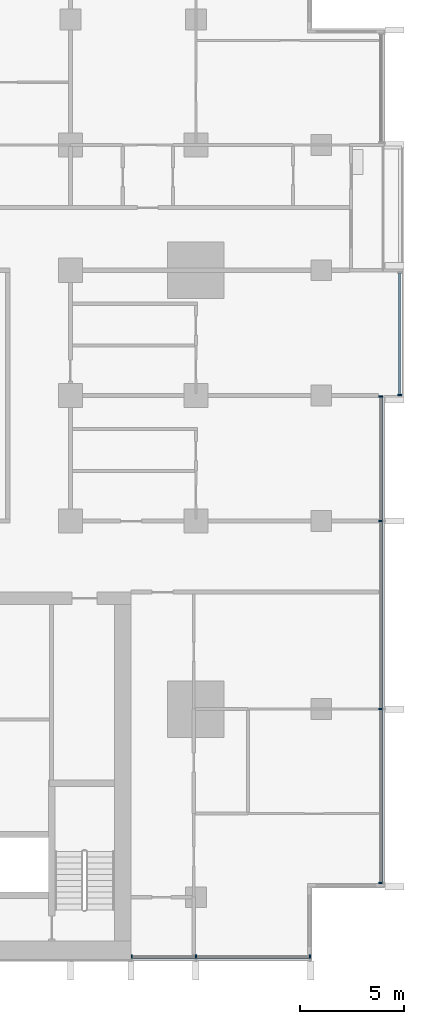
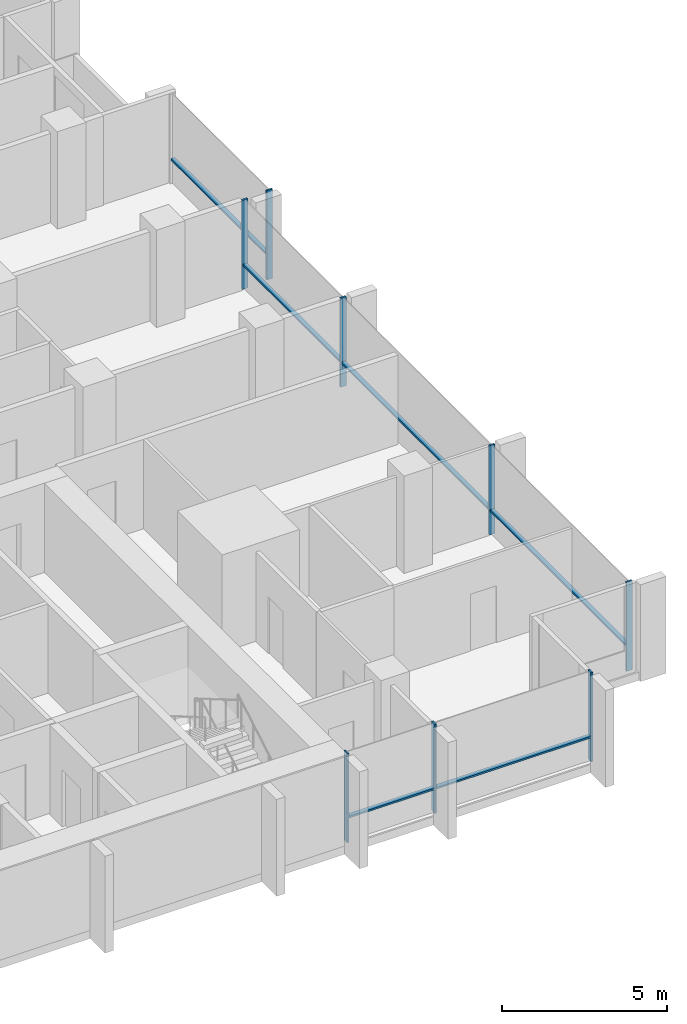
# One storey, part 3 of 17: 14 members, 3 elements without a shape of their own.
"""IFC4 building model written with IfcOpenShell, lengths in metres."""

import ifcopenshell
import ifcopenshell.guid

model = None  # the IFC model being written
_history = None  # IfcOwnerHistory: only IFC2X3 demands one
_inside = {}  # id of a spatial element -> (the spatial element, [elements in it])
_under = {}  # id of a project, library or spatial element -> (it, [spatial elements below it])
_declared = {}  # id of a project -> (the project, [libraries it declares])
_typed = {}  # id of a type object -> (the type object, [elements of that type])
_made_of = {}  # id of a material, layer set ... -> (it, [elements and type objects made of it])


def new_model(schema):
    """Start an empty IFC model of exactly this schema.

    Asked for "IFC4X3", IfcOpenShell would pick the latest addendum, in which some entities
    have other attributes; the version numbers below select the first issue.
    IFC2X3 requires an IfcOwnerHistory on every rooted entity: one is made here for all.
    """
    global model, _history
    if schema == "IFC4X3":
        model = ifcopenshell.file(schema_version=(4, 3, 0, 0))
    else:
        model = ifcopenshell.file(schema=schema)
    _inside.clear()
    _under.clear()
    _declared.clear()
    _typed.clear()
    _made_of.clear()
    _history = None
    if model.schema == "IFC2X3":
        org = make("IfcOrganization", Name="unknown")
        user = make(
            "IfcPersonAndOrganization",
            ThePerson=make("IfcPerson", FamilyName="unknown"),
            TheOrganization=org,
        )
        app = make(
            "IfcApplication",
            ApplicationDeveloper=org,
            Version="unknown",
            ApplicationFullName="unknown",
            ApplicationIdentifier="unknown",
        )
        _history = make(
            "IfcOwnerHistory",
            OwningUser=user,
            OwningApplication=app,
            ChangeAction="ADDED",
            CreationDate=0,
        )
    return model


def make(cls, **values):
    """One entity of the class cls with the attributes given. An attribute that is None is left unset."""
    return model.create_entity(
        cls, **{name: value for name, value in values.items() if value is not None}
    )


def rooted(cls, **values):
    """An entity with a GlobalId (a new one), such as an element, a storey or a relation."""
    return make(cls, GlobalId=ifcopenshell.guid.new(), OwnerHistory=_history, **values)


def si_unit(unit_type, name, prefix=None):
    """IfcSIUnit, for example si_unit("LENGTHUNIT", "METRE", prefix="MILLI")."""
    return make("IfcSIUnit", UnitType=unit_type, Prefix=prefix, Name=name)


def assignment(units):
    """IfcUnitAssignment: the units of a project."""
    return None if units is None else make("IfcUnitAssignment", Units=units)


def point(xyz):
    """IfcCartesianPoint."""
    return None if xyz is None else make("IfcCartesianPoint", Coordinates=xyz)


def direction(xyz):
    """IfcDirection."""
    return None if xyz is None else make("IfcDirection", DirectionRatios=xyz)


def frame(location, z_axis=None, x_axis=None):
    """IfcAxis2Placement3D, a coordinate frame: its origin and axes. An axis left out is left unset."""
    return make(
        "IfcAxis2Placement3D",
        Location=point(location),
        Axis=direction(z_axis),
        RefDirection=direction(x_axis),
    )


def frame_2d(location, x_axis=None):
    """IfcAxis2Placement2D, a coordinate frame in the plane: its origin and x axis."""
    return make(
        "IfcAxis2Placement2D", Location=point(location), RefDirection=direction(x_axis)
    )


def origin():
    """The frame at (0, 0, 0) with its axes left unset."""
    return frame((0.0, 0.0, 0.0))


def origin_2d():
    """The frame at (0, 0) in the plane with its x axis left unset."""
    return frame_2d((0.0, 0.0))


def place(relative_to, where):
    """IfcLocalPlacement: puts the frame where relative to a parent placement (None: the world)."""
    return make(
        "IfcLocalPlacement", PlacementRelTo=relative_to, RelativePlacement=where
    )


def context(
    kind, dimensions, precision=None, world=None, true_north=None, identifier=None
):
    """IfcGeometricRepresentationContext, for example the 3D "Model" context."""
    return make(
        "IfcGeometricRepresentationContext",
        ContextIdentifier=identifier,
        ContextType=kind,
        CoordinateSpaceDimension=dimensions,
        Precision=precision,
        WorldCoordinateSystem=world,
        TrueNorth=true_north,
    )


def subcontext(parent, identifier, kind, view, scale=None):
    """IfcGeometricRepresentationSubContext, for example "Body" below "Model"."""
    return make(
        "IfcGeometricRepresentationSubContext",
        ContextIdentifier=identifier,
        ContextType=kind,
        ParentContext=parent,
        TargetScale=scale,
        TargetView=view,
    )


def project(units=None, contexts=None):
    """IfcProject with its units and contexts."""
    return rooted(
        "IfcProject",
        Name="project",
        RepresentationContexts=contexts,
        UnitsInContext=assignment(units),
    )


def spatial(cls, under=None, at=None, **own):
    """A site, building, storey or space (cls), placed at a placement, below another one or the project."""
    s = rooted(cls, ObjectPlacement=at, **own)
    if under is not None:
        _under.setdefault(under.id(), (under, []))[1].append(s)
    return s


def profile(cls, at=None, kind="AREA", **sizes):
    """A parametric profile (cls). Its sizes go by their IFC names, for example OverallWidth=200.0."""
    return make(cls, ProfileType=kind, Position=at, **sizes)


def rectangle(**sizes):
    """IfcRectangleProfileDef."""
    return profile("IfcRectangleProfileDef", **sizes)


def extrude(swept, where, along, depth):
    """IfcExtrudedAreaSolid: the profile swept, set in the frame where, extruded along a direction by depth."""
    return make(
        "IfcExtrudedAreaSolid",
        SweptArea=swept,
        Position=where,
        ExtrudedDirection=direction(along),
        Depth=depth,
    )


def shape(context_of_items, identifier, shape_type, items):
    """IfcShapeRepresentation: the items that make up one representation, for example the "Body"."""
    return make(
        "IfcShapeRepresentation",
        ContextOfItems=context_of_items,
        RepresentationIdentifier=identifier,
        RepresentationType=shape_type,
        Items=items,
    )


def material(Name=None, Category=None):
    """IfcMaterial."""
    return make("IfcMaterial", Name=Name, Category=Category)


def material_profile(
    of_material, cross_section, Name=None, Category=None, Priority=None
):
    """IfcMaterialProfile: a cross section and its material."""
    return make(
        "IfcMaterialProfile",
        Name=Name,
        Material=of_material,
        Profile=cross_section,
        Priority=Priority,
        Category=Category,
    )


def profile_set(profiles, Name=None, composite=None):
    """IfcMaterialProfileSet."""
    return make(
        "IfcMaterialProfileSet",
        Name=Name,
        MaterialProfiles=profiles,
        CompositeProfile=composite,
    )


def made_of(thing, what):
    """Note that an element or type object is made of a material, layer set ...; save() writes the relation."""
    if what is not None:
        _made_of.setdefault(what.id(), (what, []))[1].append(thing)
    return thing


def type_object(cls, material=None, **own):
    """A type object (cls), such as IfcWallType, which elements share."""
    return made_of(rooted(cls, **own), material)


def element(
    cls,
    number,
    at=None,
    inside=None,
    cuts=None,
    type_object=None,
    material=None,
    context=None,
    identifier="Body",
    shape_type=None,
    held_by="IfcProductDefinitionShape",
    body=None,
    shapes=None,
    **own,
):
    """One element of the class cls, such as IfcWall. Its Tag is "e" and its number.

    at: its placement. inside: the storey or other place that contains it. cuts: it is an
    opening in that element (IfcRelVoidsElement). A single representation is given by context,
    identifier, shape_type and body (its items); several are given by shapes. held_by: the class
    of the entity that holds the representations. save() writes the other relations.
    """
    e = rooted(cls, Tag="e%d" % number, ObjectPlacement=at, **own)
    if body is not None:
        shapes = [shape(context, identifier, shape_type, body)]
    if shapes is not None:
        e.Representation = make(held_by, Representations=shapes)
    if inside is not None:
        _inside.setdefault(inside.id(), (inside, []))[1].append(e)
    if cuts is not None:
        rooted(
            "IfcRelVoidsElement", RelatingBuildingElement=cuts, RelatedOpeningElement=e
        )
    if type_object is not None:
        _typed.setdefault(type_object.id(), (type_object, []))[1].append(e)
    return made_of(e, material)


def aggregate(whole, parts):
    """IfcRelAggregates: a whole, such as a stair, and the parts it consists of."""
    return rooted("IfcRelAggregates", RelatingObject=whole, RelatedObjects=parts)


def save(model, path):
    """Write the relations noted so far, then the file.

    IfcRelAggregates (storeys below a building ...), IfcRelContainedInSpatialStructure (elements
    in a storey), IfcRelDefinesByType, IfcRelAssociatesMaterial and IfcRelDeclares: one each for
    every whole, place, type object, material and project.
    """
    for whole, parts in _under.values():
        aggregate(whole, parts)
    for where, things in _inside.values():
        rooted(
            "IfcRelContainedInSpatialStructure",
            RelatedElements=things,
            RelatingStructure=where,
        )
    for kind, things in _typed.values():
        rooted("IfcRelDefinesByType", RelatedObjects=things, RelatingType=kind)
    for what, things in _made_of.values():
        rooted("IfcRelAssociatesMaterial", RelatedObjects=things, RelatingMaterial=what)
    for by, libraries in _declared.values():
        rooted("IfcRelDeclares", RelatingContext=by, RelatedDefinitions=libraries)
    model.write(path)


model = new_model("IFC4")

# Units and contexts
model_context = context("Model", 3, precision=1e-05, world=origin(), true_north=direction((0.0, 1.0)))
body_context = subcontext(model_context, "Body", "Model", "MODEL_VIEW")
ifc_project = project(units=[si_unit("LENGTHUNIT", "METRE"), si_unit("AREAUNIT", "SQUARE_METRE"), si_unit("VOLUMEUNIT", "CUBIC_METRE"), si_unit("PLANEANGLEUNIT", "RADIAN"), si_unit("MASSUNIT", "GRAM", prefix="KILO")], contexts=[model_context])

# Site, building, storey
site_placement = place(None, origin())
site = spatial("IfcSite", under=ifc_project, at=site_placement, CompositionType="ELEMENT")
building_placement = place(site_placement, origin())
building = spatial("IfcBuilding", under=site, at=building_placement, Name="Finial Court Residences", CompositionType="ELEMENT")
storey_placement = place(building_placement, frame((0.0, 0.0, 124.300048828125)))
storey = spatial("IfcBuildingStorey", under=building, at=storey_placement, Name="L31", CompositionType="ELEMENT", Elevation=124.300048828125)

# Curtain wall, members
ifc_material = material(Name="Bronze anodised aluminium", Category="aluminium")
curtain_wall_type = type_object("IfcCurtainWallType", Name="Unitised curtain wall, lower and middle zones", PredefinedType="NOTDEFINED", material=ifc_material)
curtain_wall_1_placement = place(storey_placement, origin())
curtain_wall_1 = element("IfcCurtainWall", 1, at=curtain_wall_1_placement, inside=storey, type_object=curtain_wall_type, Name="E-L31-CW-E4", PredefinedType="NOTDEFINED")
ifc_material_profile_1 = material_profile(ifc_material, rectangle(XDim=0.199951171875, YDim=0.06494140625, at=origin_2d()), Name="CW1 mullion 65 x 200")
ifc_profile_set_1 = profile_set([ifc_material_profile_1], Name="Bronze anodised aluminium")
member_type_1 = type_object("IfcMemberType", Name="CW1 mullion 65 x 200", PredefinedType="MULLION", material=ifc_profile_set_1)
member_1_placement = place(storey_placement, frame((25.35009765625, -21.8173828125, 0.0), z_axis=(0.0, 0.0, 1.0), x_axis=(-1.0, 0.0, 0.0)))
member_1 = element("IfcMember", 2, at=member_1_placement, type_object=member_type_1, Name="CW1 mullion 1", PredefinedType="MULLION", context=body_context, shape_type="SweptSolid", body=[
    extrude(rectangle(XDim=0.199951171875, YDim=0.06494140625, at=origin_2d()), origin(), (0.0, 0.0, 1.0), 3.300048828125),
])
member_2_placement = place(storey_placement, frame((25.35009765625, -13.5, 0.0), z_axis=(0.0, 0.0, 1.0), x_axis=(-1.0, 0.0, 0.0)))
member_2 = element("IfcMember", 3, at=member_2_placement, type_object=member_type_1, Name="CW1 mullion 2", PredefinedType="MULLION", context=body_context, shape_type="SweptSolid", body=[
    extrude(rectangle(XDim=0.199951171875, YDim=0.06494140625, at=origin_2d()), origin(), (0.0, 0.0, 1.0), 3.300048828125),
])
member_3_placement = place(storey_placement, frame((25.35009765625, -4.5, 0.0), z_axis=(0.0, 0.0, 1.0), x_axis=(-1.0, 0.0, 0.0)))
member_3 = element("IfcMember", 4, at=member_3_placement, type_object=member_type_1, Name="CW1 mullion 3", PredefinedType="MULLION", context=body_context, shape_type="SweptSolid", body=[
    extrude(rectangle(XDim=0.199951171875, YDim=0.06494140625, at=origin_2d()), origin(), (0.0, 0.0, 1.0), 3.300048828125),
])
member_4_placement = place(storey_placement, frame((25.35009765625, 1.467529296875, 0.0), z_axis=(0.0, 0.0, 1.0), x_axis=(-1.0, 0.0, 0.0)))
member_4 = element("IfcMember", 5, at=member_4_placement, type_object=member_type_1, Name="CW1 mullion 4", PredefinedType="MULLION", context=body_context, shape_type="SweptSolid", body=[
    extrude(rectangle(XDim=0.199951171875, YDim=0.06494140625, at=origin_2d()), origin(), (0.0, 0.0, 1.0), 3.300048828125),
])

# Curtain wall, member
curtain_wall_2_placement = place(storey_placement, origin())
curtain_wall_2 = element("IfcCurtainWall", 6, at=curtain_wall_2_placement, inside=storey, type_object=curtain_wall_type, Name="E-L31-CW-E5", PredefinedType="NOTDEFINED")
member_5_placement = place(storey_placement, frame((26.25, 1.532470703125, 0.0), z_axis=(0.0, 0.0, 1.0), x_axis=(-1.0, 0.0, 0.0)))
member_5 = element("IfcMember", 7, at=member_5_placement, type_object=member_type_1, Name="CW1 mullion 1", PredefinedType="MULLION", context=body_context, shape_type="SweptSolid", body=[
    extrude(rectangle(XDim=0.199951171875, YDim=0.06494140625, at=origin_2d()), origin(), (0.0, 0.0, 1.0), 3.300048828125),
])

# Curtain wall, members
curtain_wall_3_placement = place(storey_placement, origin())
curtain_wall_3 = element("IfcCurtainWall", 8, at=curtain_wall_3_placement, inside=storey, type_object=curtain_wall_type, Name="E-L31-CW-S8", PredefinedType="NOTDEFINED")
member_6_placement = place(storey_placement, frame((13.4326171875, -25.35009765625, 0.0), z_axis=(0.0, 0.0, 1.0), x_axis=(0.0, 1.0, 0.0)))
member_6 = element("IfcMember", 9, at=member_6_placement, type_object=member_type_1, Name="CW1 mullion 1", PredefinedType="MULLION", context=body_context, shape_type="SweptSolid", body=[
    extrude(rectangle(XDim=0.199951171875, YDim=0.06494140625, at=origin_2d()), origin(), (0.0, 0.0, 1.0), 3.300048828125),
])
member_7_placement = place(storey_placement, frame((16.5, -25.35009765625, 0.0), z_axis=(0.0, 0.0, 1.0), x_axis=(0.0, 1.0, 0.0)))
member_7 = element("IfcMember", 10, at=member_7_placement, type_object=member_type_1, Name="CW1 mullion 2", PredefinedType="MULLION", context=body_context, shape_type="SweptSolid", body=[
    extrude(rectangle(XDim=0.199951171875, YDim=0.06494140625, at=origin_2d()), origin(), (0.0, 0.0, 1.0), 3.300048828125),
])
member_8_placement = place(storey_placement, frame((21.967529296875, -25.35009765625, 0.0), z_axis=(0.0, 0.0, 1.0), x_axis=(0.0, 1.0, 0.0)))
member_8 = element("IfcMember", 11, at=member_8_placement, type_object=member_type_1, Name="CW1 mullion 3", PredefinedType="MULLION", context=body_context, shape_type="SweptSolid", body=[
    extrude(rectangle(XDim=0.199951171875, YDim=0.06494140625, at=origin_2d()), origin(), (0.0, 0.0, 1.0), 3.300048828125),
])

# Member
ifc_material_profile_2 = material_profile(ifc_material, rectangle(XDim=0.14990234375, YDim=0.06494140625, at=origin_2d()), Name="CW1 transom 65 x 150")
ifc_profile_set_2 = profile_set([ifc_material_profile_2], Name="Bronze anodised aluminium")
member_type_2 = type_object("IfcMemberType", Name="CW1 transom 65 x 150", PredefinedType="USERDEFINED", material=ifc_profile_set_2)
member_9_placement = place(storey_placement, frame((25.35009765625, -21.784912109375, 0.89990234375), z_axis=(0.0, 1.0, 0.0), x_axis=(-1.0, 0.0, 0.0)))
member_9 = element("IfcMember", 12, at=member_9_placement, type_object=member_type_2, Name="CW1 transom 1.1", ObjectType="TRANSOM", PredefinedType="USERDEFINED", context=body_context, shape_type="SweptSolid", body=[
    extrude(rectangle(XDim=0.14990234375, YDim=0.06494140625, at=origin_2d()), origin(), (0.0, 0.0, 1.0), 8.25244140625),
])

member_10_placement = place(storey_placement, frame((25.35009765625, -13.467529296875, 0.89990234375), z_axis=(0.0, 1.0, 0.0), x_axis=(-1.0, 0.0, 0.0)))
member_10 = element("IfcMember", 13, at=member_10_placement, type_object=member_type_2, Name="CW1 transom 2.1", ObjectType="TRANSOM", PredefinedType="USERDEFINED", context=body_context, shape_type="SweptSolid", body=[
    extrude(rectangle(XDim=0.14990234375, YDim=0.06494140625, at=origin_2d()), origin(), (0.0, 0.0, 1.0), 8.93505859375),
])

member_11_placement = place(storey_placement, frame((25.35009765625, -4.467529296875, 0.89990234375), z_axis=(0.0, 1.0, 0.0), x_axis=(-1.0, 0.0, 0.0)))
member_11 = element("IfcMember", 14, at=member_11_placement, type_object=member_type_2, Name="CW1 transom 3.1", ObjectType="TRANSOM", PredefinedType="USERDEFINED", context=body_context, shape_type="SweptSolid", body=[
    extrude(rectangle(XDim=0.14990234375, YDim=0.06494140625, at=origin_2d()), origin(), (0.0, 0.0, 1.0), 5.902587890625),
])

aggregate(curtain_wall_1, [member_1, member_2, member_3, member_4, member_9, member_10, member_11])

member_12_placement = place(storey_placement, frame((26.25, 1.56494140625, 0.89990234375), z_axis=(0.0, 1.0, 0.0), x_axis=(-1.0, 0.0, 0.0)))
member_12 = element("IfcMember", 15, at=member_12_placement, type_object=member_type_2, Name="CW1 transom 1.1", ObjectType="TRANSOM", PredefinedType="USERDEFINED", context=body_context, shape_type="SweptSolid", body=[
    extrude(rectangle(XDim=0.14990234375, YDim=0.06494140625, at=origin_2d()), origin(), (0.0, 0.0, 1.0), 5.795166015625),
])

aggregate(curtain_wall_2, [member_5, member_12])

member_13_placement = place(storey_placement, frame((13.465087890625, -25.35009765625, 0.89990234375), z_axis=(1.0, 0.0, 0.0), x_axis=(0.0, 1.0, 0.0)))
member_13 = element("IfcMember", 16, at=member_13_placement, type_object=member_type_2, Name="CW1 transom 1.1", ObjectType="TRANSOM", PredefinedType="USERDEFINED", context=body_context, shape_type="SweptSolid", body=[
    extrude(rectangle(XDim=0.14990234375, YDim=0.06494140625, at=origin_2d()), origin(), (0.0, 0.0, 1.0), 3.00244140625),
])

member_14_placement = place(storey_placement, frame((16.532470703125, -25.35009765625, 0.89990234375), z_axis=(1.0, 0.0, 0.0), x_axis=(0.0, 1.0, 0.0)))
member_14 = element("IfcMember", 17, at=member_14_placement, type_object=member_type_2, Name="CW1 transom 2.1", ObjectType="TRANSOM", PredefinedType="USERDEFINED", context=body_context, shape_type="SweptSolid", body=[
    extrude(rectangle(XDim=0.14990234375, YDim=0.06494140625, at=origin_2d()), origin(), (0.0, 0.0, 1.0), 5.402587890625),
])

aggregate(curtain_wall_3, [member_6, member_7, member_8, member_13, member_14])

save(model, "model.ifc")
